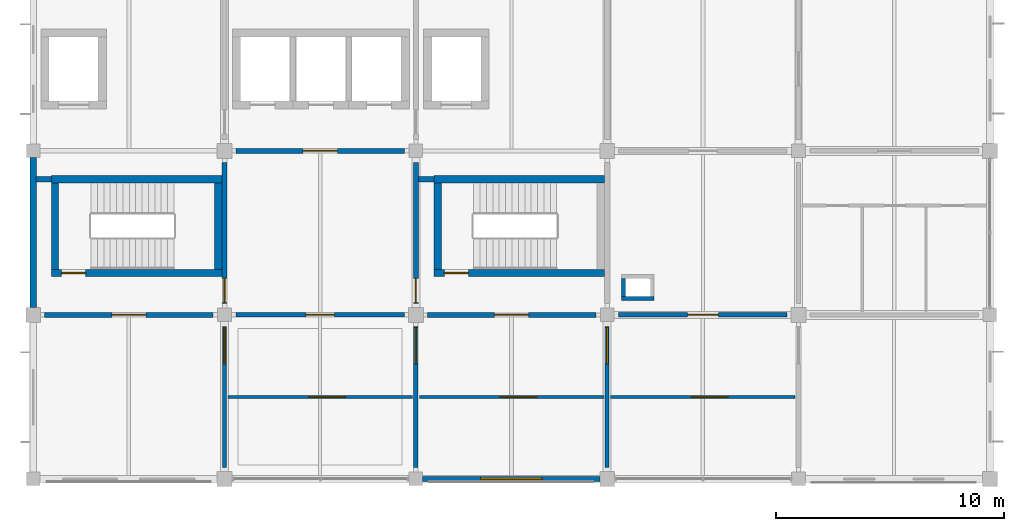
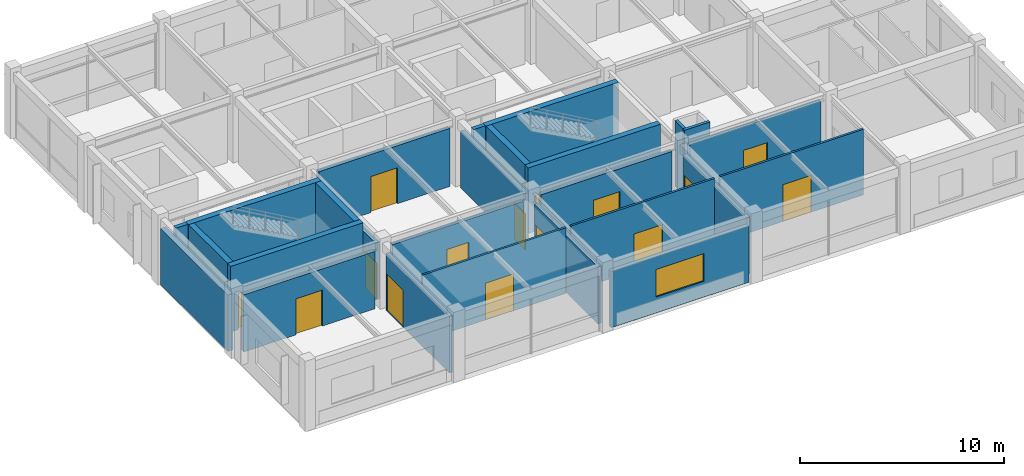
# One storey, part 8 of 13: 26 walls, 15 doors, 1 window, 16 openings.
"""IFC4 building model written with IfcOpenShell, lengths in metres."""

from ifc_helpers import new_model, si_unit, derived_unit, direction, frame, frame_2d, origin, place, context, subcontext, project, spatial, rectangle, extrude, material, layer, layer_set, type_object, element, fill, save


model = new_model("IFC4")

# Units and contexts
model_context = context("Model", 3, precision=1e-05, world=origin(), true_north=direction((0.0, 1.0)))
body_context = subcontext(model_context, "Body", "Model", "MODEL_VIEW")
ifc_project = project(units=[si_unit("LENGTHUNIT", "METRE"), si_unit("AREAUNIT", "SQUARE_METRE"), si_unit("VOLUMEUNIT", "CUBIC_METRE"), si_unit("PLANEANGLEUNIT", "RADIAN"), si_unit("MASSUNIT", "GRAM", prefix="KILO"), derived_unit("THERMALTRANSMITTANCEUNIT", [(si_unit("MASSUNIT", "GRAM", prefix="KILO"), 1), (si_unit("TIMEUNIT", "SECOND"), -3), (si_unit("THERMODYNAMICTEMPERATUREUNIT", "KELVIN"), -1)])], contexts=[model_context])

# Site, building, storey
site_placement = place(None, origin())
site = spatial("IfcSite", under=ifc_project, at=site_placement, CompositionType="ELEMENT")
building_placement = place(site_placement, origin())
building = spatial("IfcBuilding", under=site, at=building_placement, Name="Veldstrom Oceanarium and Marine Research Institute", CompositionType="ELEMENT")
storey_placement = place(building_placement, frame((0.0, 0.0, 52.199951171875)))
storey = spatial("IfcBuildingStorey", under=building, at=storey_placement, Name="L11", CompositionType="ELEMENT", Elevation=52.199951171875)

# Wall
ifc_material_1 = material(Name="Masonry Cavity Wall", Category="masonry")
ifc_layer_1 = layer(ifc_material_1, 0.2900390625)
ifc_layer_set_1 = layer_set([ifc_layer_1], Name="ARC-WAL-EW2")
wall_type_1 = type_object("IfcWallType", Name="ARC-WAL-EW2", PredefinedType="SOLIDWALL", material=ifc_layer_set_1)
wall_1_placement = place(storey_placement, frame((75.60009765625, 50.72509765625, 0.0), z_axis=(0.0, 0.0, 1.0), x_axis=(0.0, 1.0, 0.0)))
element("IfcWall", 1, at=wall_1_placement, inside=storey, type_object=wall_type_1, Name="Exterior Facade Wall EW2 L11-233", PredefinedType="SOLIDWALL", context=body_context, shape_type="SweptSolid", body=[
    extrude(rectangle(XDim=6.574951171875, YDim=0.2900390625, at=frame_2d((3.28759765625, 0.0))), origin(), (0.0, 0.0, 1.0), 3.364990234375),
])

# Wall, opening, window
ifc_material_2 = material(Name="Masonry Cavity Wall", Category="masonry")
ifc_layer_2 = layer(ifc_material_2, 0.215087890625)
ifc_layer_set_2 = layer_set([ifc_layer_2], Name="ARC-WAL-EW6")
wall_type_2 = type_object("IfcWallType", Name="ARC-WAL-EW6", PredefinedType="SOLIDWALL", material=ifc_layer_set_2)
wall_2_placement = place(storey_placement, frame((92.699951171875, 43.199951171875, 0.0), z_axis=(0.0, 0.0, 1.0), x_axis=(1.0, 0.0, 0.0)))
wall_2 = element("IfcWall", 2, at=wall_2_placement, inside=storey, type_object=wall_type_2, Name="Exterior Facade Wall EW6 L11-236", PredefinedType="SOLIDWALL", context=body_context, shape_type="SweptSolid", body=[
    extrude(rectangle(XDim=7.775146484375, YDim=0.215087890625, at=frame_2d((3.8876953125, 0.0))), origin(), (0.0, 0.0, 1.0), 3.364990234375),
])
opening_1_placement = place(wall_2_placement, frame((2.53759765625, 0.0, 0.949951171875)))
opening_1 = element("IfcOpeningElement", 3, at=opening_1_placement, cuts=wall_2, Name="Opening W25", PredefinedType="OPENING", context=body_context, shape_type="SweptSolid", body=[
    extrude(rectangle(XDim=2.699951171875, YDim=1.64990234375, at=frame_2d((1.35009765625, 0.824951171875))), frame((0.0, 0.117431640625, 0.0), z_axis=(0.0, -1.0, 0.0), x_axis=(1.0, 0.0, 0.0)), (0.0, 0.0, 1.0), 0.235107421875),
])
ifc_material_3 = material(Name="Double Glazed Low-E IGU", Category="glass")
window_type = type_object("IfcWindowType", Name="ARC-WIN-W25", PartitioningType="SINGLE_PANEL", PredefinedType="WINDOW", material=ifc_material_3)
window_placement = place(opening_1_placement, origin())
window = element("IfcWindow", 4, at=window_placement, inside=storey, type_object=window_type, Name="Facade Window W25 L11-0216", OverallHeight=1.64990234375, OverallWidth=2.699951171875, PartitioningType="SINGLE_PANEL", PredefinedType="WINDOW", context=body_context, shape_type="SweptSolid", body=[
    extrude(rectangle(XDim=2.699951171875, YDim=1.64990234375, at=frame_2d((1.35009765625, 0.824951171875))), frame((0.0, 0.030029296875, 0.0), z_axis=(0.0, -1.0, 0.0), x_axis=(1.0, 0.0, 0.0)), (0.0, 0.0, 1.0), 0.06005859375),
])
fill(opening_1, window)

# Wall, opening, door
ifc_material_4 = material(Name="Masonry Fire Compartment Wall", Category="masonry")
ifc_layer_3 = layer(ifc_material_4, 0.22998046875)
ifc_layer_set_3 = layer_set([ifc_layer_3], Name="ARC-WAL-PT1")
wall_type_3 = type_object("IfcWallType", Name="ARC-WAL-PT1", PredefinedType="PARTITIONING", material=ifc_layer_set_3)
wall_3_placement = place(storey_placement, frame((76.10009765625, 50.39990234375, 0.0), z_axis=(0.0, 0.0, 1.0), x_axis=(1.0, 0.0, 0.0)))
wall_3 = element("IfcWall", 5, at=wall_3_placement, inside=storey, type_object=wall_type_3, Name="Interior Partition PT1 L11-1672", PredefinedType="PARTITIONING", context=body_context, shape_type="SweptSolid", body=[
    extrude(rectangle(XDim=7.39990234375, YDim=0.22998046875, at=frame_2d((3.699951171875, 0.0))), origin(), (0.0, 0.0, 1.0), 3.4150390625),
])
opening_2_placement = place(wall_3_placement, frame((2.949951171875, 0.0, 0.0)))
opening_2 = element("IfcOpeningElement", 6, at=opening_2_placement, cuts=wall_3, Name="Opening D-L11-1024", PredefinedType="OPENING", context=body_context, shape_type="SweptSolid", body=[
    extrude(rectangle(XDim=1.5, YDim=2.14990234375, at=frame_2d((0.75, 1.074951171875))), frame((0.0, 0.125, 0.0), z_axis=(0.0, -1.0, 0.0), x_axis=(1.0, 0.0, 0.0)), (0.0, 0.0, 1.0), 0.25),
])
ifc_material_5 = material(Name="Painted Steel Lobby Fire Door", Category="steel")
door_type_1 = type_object("IfcDoorType", Name="ARC-DOR-SD2", OperationType="DOUBLE_DOOR_SINGLE_SWING", PredefinedType="DOOR", material=ifc_material_5)
door_1_placement = place(opening_2_placement, frame((1.5, 0.0, 0.0), z_axis=(0.0, 0.0, 1.0), x_axis=(-1.0, 0.0, 0.0)))
door_1 = element("IfcDoor", 7, at=door_1_placement, inside=storey, type_object=door_type_1, Name="Interior Door D-L11-1024", OperationType="DOUBLE_DOOR_SINGLE_SWING", OverallHeight=2.14990234375, OverallWidth=1.5, PredefinedType="DOOR", context=body_context, shape_type="SweptSolid", body=[
    extrude(rectangle(XDim=1.5, YDim=2.14990234375, at=frame_2d((0.75, 1.074951171875))), frame((0.0, 0.02490234375, 0.0), z_axis=(0.0, -1.0, 0.0), x_axis=(1.0, 0.0, 0.0)), (0.0, 0.0, 1.0), 0.050048828125),
])
fill(opening_2, door_1)

wall_4_placement = place(storey_placement, frame((84.0, 50.89990234375, 0.0), z_axis=(0.0, 0.0, 1.0), x_axis=(0.0, 1.0, 0.0)))
wall_4 = element("IfcWall", 8, at=wall_4_placement, inside=storey, type_object=wall_type_3, Name="Interior Partition PT1 L11-1673", PredefinedType="PARTITIONING", context=body_context, shape_type="SweptSolid", body=[
    extrude(rectangle(XDim=6.2001953125, YDim=0.22998046875, at=frame_2d((3.10009765625, 0.0))), origin(), (0.0, 0.0, 1.0), 3.4150390625),
])
opening_3_placement = place(wall_4_placement, frame((0.050048828125, 0.0, 0.0)))
opening_3 = element("IfcOpeningElement", 9, at=opening_3_placement, cuts=wall_4, Name="Opening D-L11-1025", PredefinedType="OPENING", context=body_context, shape_type="SweptSolid", body=[
    extrude(rectangle(XDim=1.050048828125, YDim=2.14990234375, at=frame_2d((0.52490234375, 1.074951171875))), frame((0.0, 0.125, 0.0), z_axis=(0.0, -1.0, 0.0), x_axis=(1.0, 0.0, 0.0)), (0.0, 0.0, 1.0), 0.25),
])
ifc_material_6 = material(Name="Painted Steel Fire Door", Category="steel")
door_type_2 = type_object("IfcDoorType", Name="ARC-DOR-SD1", OperationType="SINGLE_SWING_LEFT", PredefinedType="DOOR", material=ifc_material_6)
door_2_placement = place(opening_3_placement, origin())
door_2 = element("IfcDoor", 10, at=door_2_placement, inside=storey, type_object=door_type_2, Name="Interior Door D-L11-1025", OperationType="SINGLE_SWING_LEFT", OverallHeight=2.14990234375, OverallWidth=1.050048828125, PredefinedType="DOOR", context=body_context, shape_type="SweptSolid", body=[
    extrude(rectangle(XDim=1.050048828125, YDim=2.14990234375, at=frame_2d((0.52490234375, 1.074951171875))), frame((0.0, 0.02490234375, 0.0), z_axis=(0.0, -1.0, 0.0), x_axis=(1.0, 0.0, 0.0)), (0.0, 0.0, 1.0), 0.050048828125),
])
fill(opening_3, door_2)

# Wall
wall_5_placement = place(storey_placement, frame((75.719970703125, 56.360107421875, 0.0), z_axis=(0.0, 0.0, 1.0), x_axis=(1.0, 0.0, 0.0)))
element("IfcWall", 11, at=wall_5_placement, inside=storey, type_object=wall_type_3, Name="Interior Partition PT1 L11-1674", PredefinedType="PARTITIONING", context=body_context, shape_type="SweptSolid", body=[
    extrude(rectangle(XDim=0.679931640625, YDim=0.22998046875, at=frame_2d((0.33984375, 0.0))), origin(), (0.0, 0.0, 1.0), 3.920166015625),
])

# Wall, opening, door
wall_6_placement = place(storey_placement, frame((92.39990234375, 50.89990234375, 0.0), z_axis=(0.0, 0.0, 1.0), x_axis=(0.0, 1.0, 0.0)))
wall_6 = element("IfcWall", 12, at=wall_6_placement, inside=storey, type_object=wall_type_3, Name="Interior Partition PT1 L11-1680", PredefinedType="PARTITIONING", context=body_context, shape_type="SweptSolid", body=[
    extrude(rectangle(XDim=6.2001953125, YDim=0.22998046875, at=frame_2d((3.10009765625, 0.0))), origin(), (0.0, 0.0, 1.0), 3.4150390625),
])
opening_4_placement = place(wall_6_placement, frame((0.050048828125, 0.0, 0.0)))
opening_4 = element("IfcOpeningElement", 13, at=opening_4_placement, cuts=wall_6, Name="Opening D-L11-1030", PredefinedType="OPENING", context=body_context, shape_type="SweptSolid", body=[
    extrude(rectangle(XDim=1.050048828125, YDim=2.14990234375, at=frame_2d((0.52490234375, 1.074951171875))), frame((0.0, 0.125, 0.0), z_axis=(0.0, -1.0, 0.0), x_axis=(1.0, 0.0, 0.0)), (0.0, 0.0, 1.0), 0.25),
])
door_3_placement = place(opening_4_placement, frame((1.050048828125, 0.0, 0.0), z_axis=(0.0, 0.0, 1.0), x_axis=(-1.0, 0.0, 0.0)))
door_3 = element("IfcDoor", 14, at=door_3_placement, inside=storey, type_object=door_type_2, Name="Interior Door D-L11-1030", OperationType="SINGLE_SWING_RIGHT", OverallHeight=2.14990234375, OverallWidth=1.050048828125, PredefinedType="DOOR", context=body_context, shape_type="SweptSolid", body=[
    extrude(rectangle(XDim=1.050048828125, YDim=2.14990234375, at=frame_2d((0.52490234375, 1.074951171875))), frame((0.0, 0.02490234375, 0.0), z_axis=(0.0, -1.0, 0.0), x_axis=(1.0, 0.0, 0.0)), (0.0, 0.0, 1.0), 0.050048828125),
])
fill(opening_4, door_3)

wall_7_placement = place(storey_placement, frame((84.5, 57.60009765625, 0.0), z_axis=(0.0, 0.0, 1.0), x_axis=(1.0, 0.0, 0.0)))
wall_7 = element("IfcWall", 15, at=wall_7_placement, inside=storey, type_object=wall_type_3, Name="Interior Partition PT1 L11-1681", PredefinedType="PARTITIONING", context=body_context, shape_type="SweptSolid", body=[
    extrude(rectangle(XDim=7.39990234375, YDim=0.22998046875, at=frame_2d((3.699951171875, 0.0))), origin(), (0.0, 0.0, 1.0), 3.465087890625),
])
opening_5_placement = place(wall_7_placement, frame((2.949951171875, 0.0, 0.0)))
opening_5 = element("IfcOpeningElement", 16, at=opening_5_placement, cuts=wall_7, Name="Opening D-L11-1031", PredefinedType="OPENING", context=body_context, shape_type="SweptSolid", body=[
    extrude(rectangle(XDim=1.5, YDim=2.14990234375, at=frame_2d((0.75, 1.074951171875))), frame((0.0, 0.125, 0.0), z_axis=(0.0, -1.0, 0.0), x_axis=(1.0, 0.0, 0.0)), (0.0, 0.0, 1.0), 0.25),
])
door_4_placement = place(opening_5_placement, origin())
door_4 = element("IfcDoor", 17, at=door_4_placement, inside=storey, type_object=door_type_1, Name="Interior Door D-L11-1031", OperationType="DOUBLE_DOOR_SINGLE_SWING", OverallHeight=2.14990234375, OverallWidth=1.5, PredefinedType="DOOR", context=body_context, shape_type="SweptSolid", body=[
    extrude(rectangle(XDim=1.5, YDim=2.14990234375, at=frame_2d((0.75, 1.074951171875))), frame((0.0, 0.02490234375, 0.0), z_axis=(0.0, -1.0, 0.0), x_axis=(1.0, 0.0, 0.0)), (0.0, 0.0, 1.0), 0.050048828125),
])
fill(opening_5, door_4)

wall_8_placement = place(storey_placement, frame((92.89990234375, 50.39990234375, 0.0), z_axis=(0.0, 0.0, 1.0), x_axis=(1.0, 0.0, 0.0)))
wall_8 = element("IfcWall", 18, at=wall_8_placement, inside=storey, type_object=wall_type_3, Name="Interior Partition PT1 L11-1686", PredefinedType="PARTITIONING", context=body_context, shape_type="SweptSolid", body=[
    extrude(rectangle(XDim=7.400146484375, YDim=0.22998046875, at=frame_2d((3.7001953125, 0.0))), origin(), (0.0, 0.0, 1.0), 3.51513671875),
])
opening_6_placement = place(wall_8_placement, frame((2.949951171875, 0.0, 0.0)))
opening_6 = element("IfcOpeningElement", 19, at=opening_6_placement, cuts=wall_8, Name="Opening D-L11-1035", PredefinedType="OPENING", context=body_context, shape_type="SweptSolid", body=[
    extrude(rectangle(XDim=1.5, YDim=2.14990234375, at=frame_2d((0.75, 1.074951171875))), frame((0.0, 0.125, 0.0), z_axis=(0.0, -1.0, 0.0), x_axis=(1.0, 0.0, 0.0)), (0.0, 0.0, 1.0), 0.25),
])
door_5_placement = place(opening_6_placement, frame((1.5, 0.0, 0.0), z_axis=(0.0, 0.0, 1.0), x_axis=(-1.0, 0.0, 0.0)))
door_5 = element("IfcDoor", 20, at=door_5_placement, inside=storey, type_object=door_type_1, Name="Interior Door D-L11-1035", OperationType="DOUBLE_DOOR_SINGLE_SWING", OverallHeight=2.14990234375, OverallWidth=1.5, PredefinedType="DOOR", context=body_context, shape_type="SweptSolid", body=[
    extrude(rectangle(XDim=1.5, YDim=2.14990234375, at=frame_2d((0.75, 1.074951171875))), frame((0.0, 0.02490234375, 0.0), z_axis=(0.0, -1.0, 0.0), x_axis=(1.0, 0.0, 0.0)), (0.0, 0.0, 1.0), 0.050048828125),
])
fill(opening_6, door_5)

# Wall
wall_9_placement = place(storey_placement, frame((92.52001953125, 56.360107421875, 0.0), z_axis=(0.0, 0.0, 1.0), x_axis=(1.0, 0.0, 0.0)))
element("IfcWall", 21, at=wall_9_placement, inside=storey, type_object=wall_type_3, Name="Interior Partition PT1 L11-1688", PredefinedType="PARTITIONING", context=body_context, shape_type="SweptSolid", body=[
    extrude(rectangle(XDim=0.679931640625, YDim=0.22998046875, at=frame_2d((0.33984375, 0.0))), origin(), (0.0, 0.0, 1.0), 3.920166015625),
])

# Wall, opening, door
ifc_material_7 = material(Name="Gypsum Acoustic Lab Partition", Category="gypsum")
ifc_layer_4 = layer(ifc_material_7, 0.1201171875)
ifc_layer_set_4 = layer_set([ifc_layer_4], Name="ARC-WAL-PT10")
wall_type_4 = type_object("IfcWallType", Name="ARC-WAL-PT10", PredefinedType="PARTITIONING", material=ifc_layer_set_4)
wall_10_placement = place(storey_placement, frame((84.14990234375, 46.800048828125, 0.0), z_axis=(0.0, 0.0, 1.0), x_axis=(1.0, 0.0, 0.0)))
wall_10 = element("IfcWall", 22, at=wall_10_placement, inside=storey, type_object=wall_type_4, Name="Laboratory Suite Partition L11-10/6", PredefinedType="PARTITIONING", context=body_context, shape_type="SweptSolid", body=[
    extrude(rectangle(XDim=8.10009765625, YDim=0.1201171875, at=frame_2d((4.050048828125, 0.0))), origin(), (0.0, 0.0, 1.0), 3.920166015625),
])
opening_7_placement = place(wall_10_placement, frame((3.550048828125, 0.0, 0.0)))
opening_7 = element("IfcOpeningElement", 23, at=opening_7_placement, cuts=wall_10, Name="Opening D-L11-S1017", PredefinedType="OPENING", context=body_context, shape_type="SweptSolid", body=[
    extrude(rectangle(XDim=1.60009765625, YDim=2.199951171875, at=frame_2d((0.800048828125, 1.10009765625))), frame((0.0, 0.070068359375, 0.0), z_axis=(0.0, -1.0, 0.0), x_axis=(1.0, 0.0, 0.0)), (0.0, 0.0, 1.0), 0.14013671875),
])
ifc_material_8 = material(Name="Acoustic Timber Corridor Door", Category="wood")
door_type_3 = type_object("IfcDoorType", Name="ARC-DOR-ID02", OperationType="DOUBLE_DOOR_SINGLE_SWING", PredefinedType="DOOR", material=ifc_material_8)
door_6_placement = place(opening_7_placement, frame((1.60009765625, 0.0, 0.0), z_axis=(0.0, 0.0, 1.0), x_axis=(-1.0, 0.0, 0.0)))
door_6 = element("IfcDoor", 24, at=door_6_placement, inside=storey, type_object=door_type_3, Name="Suite Interior Door D-L11-S1017", OperationType="SINGLE_SWING_LEFT", OverallHeight=2.199951171875, OverallWidth=1.60009765625, PredefinedType="DOOR", context=body_context, shape_type="SweptSolid", body=[
    extrude(rectangle(XDim=1.60009765625, YDim=2.199951171875, at=frame_2d((0.800048828125, 1.10009765625))), frame((0.0, 0.02490234375, 0.0), z_axis=(0.0, -1.0, 0.0), x_axis=(1.0, 0.0, 0.0)), (0.0, 0.0, 1.0), 0.050048828125),
])
fill(opening_7, door_6)

wall_11_placement = place(storey_placement, frame((92.550048828125, 46.800048828125, 0.0), z_axis=(0.0, 0.0, 1.0), x_axis=(1.0, 0.0, 0.0)))
wall_11 = element("IfcWall", 25, at=wall_11_placement, inside=storey, type_object=wall_type_4, Name="Laboratory Suite Partition L11-11/6", PredefinedType="PARTITIONING", context=body_context, shape_type="SweptSolid", body=[
    extrude(rectangle(XDim=8.099853515625, YDim=0.1201171875, at=frame_2d((4.0498046875, 0.0))), origin(), (0.0, 0.0, 1.0), 3.920166015625),
])
opening_8_placement = place(wall_11_placement, frame((3.550048828125, 0.0, 0.0)))
opening_8 = element("IfcOpeningElement", 26, at=opening_8_placement, cuts=wall_11, Name="Opening D-L11-S1018", PredefinedType="OPENING", context=body_context, shape_type="SweptSolid", body=[
    extrude(rectangle(XDim=1.60009765625, YDim=2.199951171875, at=frame_2d((0.800048828125, 1.10009765625))), frame((0.0, 0.070068359375, 0.0), z_axis=(0.0, -1.0, 0.0), x_axis=(1.0, 0.0, 0.0)), (0.0, 0.0, 1.0), 0.14013671875),
])
door_7_placement = place(opening_8_placement, frame((1.60009765625, 0.0, 0.0), z_axis=(0.0, 0.0, 1.0), x_axis=(-1.0, 0.0, 0.0)))
door_7 = element("IfcDoor", 27, at=door_7_placement, inside=storey, type_object=door_type_3, Name="Suite Interior Door D-L11-S1018", OperationType="SINGLE_SWING_RIGHT", OverallHeight=2.199951171875, OverallWidth=1.60009765625, PredefinedType="DOOR", context=body_context, shape_type="SweptSolid", body=[
    extrude(rectangle(XDim=1.60009765625, YDim=2.199951171875, at=frame_2d((0.800048828125, 1.10009765625))), frame((0.0, 0.02490234375, 0.0), z_axis=(0.0, -1.0, 0.0), x_axis=(1.0, 0.0, 0.0)), (0.0, 0.0, 1.0), 0.050048828125),
])
fill(opening_8, door_7)

wall_12_placement = place(storey_placement, frame((100.949951171875, 46.800048828125, 0.0), z_axis=(0.0, 0.0, 1.0), x_axis=(1.0, 0.0, 0.0)))
wall_12 = element("IfcWall", 28, at=wall_12_placement, inside=storey, type_object=wall_type_4, Name="Laboratory Suite Partition L11-12/6", PredefinedType="PARTITIONING", context=body_context, shape_type="SweptSolid", body=[
    extrude(rectangle(XDim=8.10009765625, YDim=0.1201171875, at=frame_2d((4.050048828125, 0.0))), origin(), (0.0, 0.0, 1.0), 3.920166015625),
])
opening_9_placement = place(wall_12_placement, frame((3.550048828125, 0.0, 0.0)))
opening_9 = element("IfcOpeningElement", 29, at=opening_9_placement, cuts=wall_12, Name="Opening D-L11-S1019", PredefinedType="OPENING", context=body_context, shape_type="SweptSolid", body=[
    extrude(rectangle(XDim=1.60009765625, YDim=2.199951171875, at=frame_2d((0.800048828125, 1.10009765625))), frame((0.0, 0.070068359375, 0.0), z_axis=(0.0, -1.0, 0.0), x_axis=(1.0, 0.0, 0.0)), (0.0, 0.0, 1.0), 0.14013671875),
])
door_8_placement = place(opening_9_placement, frame((1.60009765625, 0.0, 0.0), z_axis=(0.0, 0.0, 1.0), x_axis=(-1.0, 0.0, 0.0)))
door_8 = element("IfcDoor", 30, at=door_8_placement, inside=storey, type_object=door_type_3, Name="Suite Interior Door D-L11-S1019", OperationType="SINGLE_SWING_LEFT", OverallHeight=2.199951171875, OverallWidth=1.60009765625, PredefinedType="DOOR", context=body_context, shape_type="SweptSolid", body=[
    extrude(rectangle(XDim=1.60009765625, YDim=2.199951171875, at=frame_2d((0.800048828125, 1.10009765625))), frame((0.0, 0.02490234375, 0.0), z_axis=(0.0, -1.0, 0.0), x_axis=(1.0, 0.0, 0.0)), (0.0, 0.0, 1.0), 0.050048828125),
])
fill(opening_9, door_8)

ifc_material_9 = material(Name="Masonry Acoustic Lab Partition", Category="masonry")
ifc_layer_5 = layer(ifc_material_9, 0.205078125)
ifc_layer_set_5 = layer_set([ifc_layer_5], Name="ARC-WAL-PT2")
wall_type_5 = type_object("IfcWallType", Name="ARC-WAL-PT2", PredefinedType="PARTITIONING", material=ifc_layer_set_5)
wall_13_placement = place(storey_placement, frame((92.39990234375, 43.699951171875, 0.0), z_axis=(0.0, 0.0, 1.0), x_axis=(0.0, 1.0, 0.0)))
wall_13 = element("IfcWall", 31, at=wall_13_placement, inside=storey, type_object=wall_type_5, Name="Interior Partition PT2 L11-1678", PredefinedType="PARTITIONING", context=body_context, shape_type="SweptSolid", body=[
    extrude(rectangle(XDim=6.199951171875, YDim=0.205078125, at=frame_2d((3.10009765625, 0.0))), origin(), (0.0, 0.0, 1.0), 3.4150390625),
])
opening_10_placement = place(wall_13_placement, frame((4.550048828125, 0.0, 0.0)))
opening_10 = element("IfcOpeningElement", 32, at=opening_10_placement, cuts=wall_13, Name="Opening D-L11-1028", PredefinedType="OPENING", context=body_context, shape_type="SweptSolid", body=[
    extrude(rectangle(XDim=1.60009765625, YDim=2.199951171875, at=frame_2d((0.800048828125, 1.10009765625))), frame((0.0, 0.112548828125, 0.0), z_axis=(0.0, -1.0, 0.0), x_axis=(1.0, 0.0, 0.0)), (0.0, 0.0, 1.0), 0.22509765625),
])
door_9_placement = place(opening_10_placement, origin())
door_9 = element("IfcDoor", 33, at=door_9_placement, inside=storey, type_object=door_type_3, Name="Interior Door D-L11-1028", OperationType="DOUBLE_DOOR_SINGLE_SWING", OverallHeight=2.199951171875, OverallWidth=1.60009765625, PredefinedType="DOOR", context=body_context, shape_type="SweptSolid", body=[
    extrude(rectangle(XDim=1.60009765625, YDim=2.199951171875, at=frame_2d((0.800048828125, 1.10009765625))), frame((0.0, 0.02490234375, 0.0), z_axis=(0.0, -1.0, 0.0), x_axis=(1.0, 0.0, 0.0)), (0.0, 0.0, 1.0), 0.050048828125),
])
fill(opening_10, door_9)

wall_14_placement = place(storey_placement, frame((84.5, 50.39990234375, 0.0), z_axis=(0.0, 0.0, 1.0), x_axis=(1.0, 0.0, 0.0)))
wall_14 = element("IfcWall", 34, at=wall_14_placement, inside=storey, type_object=wall_type_5, Name="Interior Partition PT2 L11-1679", PredefinedType="PARTITIONING", context=body_context, shape_type="SweptSolid", body=[
    extrude(rectangle(XDim=7.39990234375, YDim=0.205078125, at=frame_2d((3.699951171875, 0.0))), origin(), (0.0, 0.0, 1.0), 3.465087890625),
])
opening_11_placement = place(wall_14_placement, frame((3.074951171875, 0.0, 0.0)))
opening_11 = element("IfcOpeningElement", 35, at=opening_11_placement, cuts=wall_14, Name="Opening D-L11-1029", PredefinedType="OPENING", context=body_context, shape_type="SweptSolid", body=[
    extrude(rectangle(XDim=1.25, YDim=2.10009765625, at=frame_2d((0.625, 1.050048828125))), frame((0.0, 0.112548828125, 0.0), z_axis=(0.0, -1.0, 0.0), x_axis=(1.0, 0.0, 0.0)), (0.0, 0.0, 1.0), 0.22509765625),
])
ifc_material_10 = material(Name="Specimen Prep Door", Category="timber")
door_type_4 = type_object("IfcDoorType", Name="ARC-DOR-ID16", OperationType="SINGLE_SWING_RIGHT", PredefinedType="DOOR", material=ifc_material_10)
door_10_placement = place(opening_11_placement, frame((1.25, 0.0, 0.0), z_axis=(0.0, 0.0, 1.0), x_axis=(-1.0, 0.0, 0.0)))
door_10 = element("IfcDoor", 36, at=door_10_placement, inside=storey, type_object=door_type_4, Name="Interior Door D-L11-1029", OperationType="SINGLE_SWING_LEFT", OverallHeight=2.10009765625, OverallWidth=1.25, PredefinedType="DOOR", context=body_context, shape_type="SweptSolid", body=[
    extrude(rectangle(XDim=1.25, YDim=2.10009765625, at=frame_2d((0.625, 1.050048828125))), frame((0.0, 0.02490234375, 0.0), z_axis=(0.0, -1.0, 0.0), x_axis=(1.0, 0.0, 0.0)), (0.0, 0.0, 1.0), 0.050048828125),
])
fill(opening_11, door_10)

wall_15_placement = place(storey_placement, frame((101.300048828125, 50.39990234375, 0.0), z_axis=(0.0, 0.0, 1.0), x_axis=(1.0, 0.0, 0.0)))
wall_15 = element("IfcWall", 37, at=wall_15_placement, inside=storey, type_object=wall_type_5, Name="Interior Partition PT2 L11-1693", PredefinedType="PARTITIONING", context=body_context, shape_type="SweptSolid", body=[
    extrude(rectangle(XDim=7.39990234375, YDim=0.205078125, at=frame_2d((3.699951171875, 0.0))), origin(), (0.0, 0.0, 1.0), 3.56494140625),
])
opening_12_placement = place(wall_15_placement, frame((3.02490234375, 0.0, 0.0)))
opening_12 = element("IfcOpeningElement", 38, at=opening_12_placement, cuts=wall_15, Name="Opening D-L11-1038", PredefinedType="OPENING", context=body_context, shape_type="SweptSolid", body=[
    extrude(rectangle(XDim=1.35009765625, YDim=2.14990234375, at=frame_2d((0.675048828125, 1.074951171875))), frame((0.0, 0.112548828125, 0.0), z_axis=(0.0, -1.0, 0.0), x_axis=(1.0, 0.0, 0.0)), (0.0, 0.0, 1.0), 0.22509765625),
])
ifc_material_11 = material(Name="Cleanroom Airlock Door", Category="steel")
door_type_5 = type_object("IfcDoorType", Name="ARC-DOR-ID15", OperationType="SINGLE_SWING_LEFT", PredefinedType="DOOR", material=ifc_material_11)
door_11_placement = place(opening_12_placement, frame((1.35009765625, 0.0, 0.0), z_axis=(0.0, 0.0, 1.0), x_axis=(-1.0, 0.0, 0.0)))
door_11 = element("IfcDoor", 39, at=door_11_placement, inside=storey, type_object=door_type_5, Name="Interior Door D-L11-1038", OperationType="SINGLE_SWING_LEFT", OverallHeight=2.14990234375, OverallWidth=1.35009765625, PredefinedType="DOOR", context=body_context, shape_type="SweptSolid", body=[
    extrude(rectangle(XDim=1.35009765625, YDim=2.14990234375, at=frame_2d((0.675048828125, 1.074951171875))), frame((0.0, 0.02490234375, 0.0), z_axis=(0.0, -1.0, 0.0), x_axis=(1.0, 0.0, 0.0)), (0.0, 0.0, 1.0), 0.050048828125),
])
fill(opening_12, door_11)

ifc_material_12 = material(Name="Drywall Acoustic Partition", Category="gypsum")
ifc_layer_6 = layer(ifc_material_12, 0.175048828125)
ifc_layer_set_6 = layer_set([ifc_layer_6], Name="ARC-WAL-PT3")
wall_type_6 = type_object("IfcWallType", Name="ARC-WAL-PT3", PredefinedType="PARTITIONING", material=ifc_layer_set_6)
wall_16_placement = place(storey_placement, frame((84.0, 43.699951171875, 0.0), z_axis=(0.0, 0.0, 1.0), x_axis=(0.0, 1.0, 0.0)))
wall_16 = element("IfcWall", 40, at=wall_16_placement, inside=storey, type_object=wall_type_6, Name="Interior Partition PT3 L11-1671", PredefinedType="PARTITIONING", context=body_context, shape_type="SweptSolid", body=[
    extrude(rectangle(XDim=6.199951171875, YDim=0.175048828125, at=frame_2d((3.10009765625, 0.0))), origin(), (0.0, 0.0, 1.0), 3.4150390625),
])
opening_13_placement = place(wall_16_placement, frame((4.550048828125, 0.0, 0.0)))
opening_13 = element("IfcOpeningElement", 41, at=opening_13_placement, cuts=wall_16, Name="Opening D-L11-1023", PredefinedType="OPENING", context=body_context, shape_type="SweptSolid", body=[
    extrude(rectangle(XDim=1.60009765625, YDim=2.199951171875, at=frame_2d((0.800048828125, 1.10009765625))), frame((0.0, 0.097412109375, 0.0), z_axis=(0.0, -1.0, 0.0), x_axis=(1.0, 0.0, 0.0)), (0.0, 0.0, 1.0), 0.195068359375),
])
door_12_placement = place(opening_13_placement, frame((1.60009765625, 0.0, 0.0), z_axis=(0.0, 0.0, 1.0), x_axis=(-1.0, 0.0, 0.0)))
door_12 = element("IfcDoor", 42, at=door_12_placement, inside=storey, type_object=door_type_3, Name="Interior Door D-L11-1023", OperationType="DOUBLE_DOOR_SINGLE_SWING", OverallHeight=2.199951171875, OverallWidth=1.60009765625, PredefinedType="DOOR", context=body_context, shape_type="SweptSolid", body=[
    extrude(rectangle(XDim=1.60009765625, YDim=2.199951171875, at=frame_2d((0.800048828125, 1.10009765625))), frame((0.0, 0.02490234375, 0.0), z_axis=(0.0, -1.0, 0.0), x_axis=(1.0, 0.0, 0.0)), (0.0, 0.0, 1.0), 0.050048828125),
])
fill(opening_13, door_12)

wall_17_placement = place(storey_placement, frame((100.800048828125, 43.699951171875, 0.0), z_axis=(0.0, 0.0, 1.0), x_axis=(0.0, 1.0, 0.0)))
wall_17 = element("IfcWall", 43, at=wall_17_placement, inside=storey, type_object=wall_type_6, Name="Interior Partition PT3 L11-1685", PredefinedType="PARTITIONING", context=body_context, shape_type="SweptSolid", body=[
    extrude(rectangle(XDim=6.199951171875, YDim=0.175048828125, at=frame_2d((3.10009765625, 0.0))), origin(), (0.0, 0.0, 1.0), 3.4150390625),
])
opening_14_placement = place(wall_17_placement, frame((4.550048828125, 0.0, 0.0)))
opening_14 = element("IfcOpeningElement", 44, at=opening_14_placement, cuts=wall_17, Name="Opening D-L11-1034", PredefinedType="OPENING", context=body_context, shape_type="SweptSolid", body=[
    extrude(rectangle(XDim=1.60009765625, YDim=2.199951171875, at=frame_2d((0.800048828125, 1.10009765625))), frame((0.0, 0.097412109375, 0.0), z_axis=(0.0, -1.0, 0.0), x_axis=(1.0, 0.0, 0.0)), (0.0, 0.0, 1.0), 0.195068359375),
])
door_13_placement = place(opening_14_placement, frame((1.60009765625, 0.0, 0.0), z_axis=(0.0, 0.0, 1.0), x_axis=(-1.0, 0.0, 0.0)))
door_13 = element("IfcDoor", 45, at=door_13_placement, inside=storey, type_object=door_type_3, Name="Interior Door D-L11-1034", OperationType="DOUBLE_DOOR_SINGLE_SWING", OverallHeight=2.199951171875, OverallWidth=1.60009765625, PredefinedType="DOOR", context=body_context, shape_type="SweptSolid", body=[
    extrude(rectangle(XDim=1.60009765625, YDim=2.199951171875, at=frame_2d((0.800048828125, 1.10009765625))), frame((0.0, 0.02490234375, 0.0), z_axis=(0.0, -1.0, 0.0), x_axis=(1.0, 0.0, 0.0)), (0.0, 0.0, 1.0), 0.050048828125),
])
fill(opening_14, door_13)

# Walls
ifc_material_13 = material(Name="Service Riser Fire Shaft Wall", Category="masonry")
ifc_layer_7 = layer(ifc_material_13, 0.1650390625)
ifc_layer_set_7 = layer_set([ifc_layer_7], Name="ARC-WAL-PT9")
wall_type_7 = type_object("IfcWallType", Name="ARC-WAL-PT9", PredefinedType="PARTITIONING", material=ifc_layer_set_7)
wall_18_placement = place(storey_placement, frame((101.43505859375, 51.117431640625, 0.0), z_axis=(0.0, 0.0, 1.0), x_axis=(1.0, 0.0, 0.0)))
element("IfcWall", 46, at=wall_18_placement, inside=storey, type_object=wall_type_7, Name="Service Riser Fire Shaft Wall L11-CE-S", PredefinedType="PARTITIONING", context=body_context, shape_type="SweptSolid", body=[
    extrude(rectangle(XDim=1.429931640625, YDim=0.1650390625, at=frame_2d((0.71484375, 0.0))), origin(), (0.0, 0.0, 1.0), 3.920166015625),
])
wall_19_placement = place(storey_placement, frame((101.517578125, 51.199951171875, 0.0), z_axis=(0.0, 0.0, 1.0), x_axis=(0.0, 1.0, 0.0)))
element("IfcWall", 47, at=wall_19_placement, inside=storey, type_object=wall_type_7, Name="Service Riser Fire Shaft Wall L11-CE-W", PredefinedType="PARTITIONING", context=body_context, shape_type="SweptSolid", body=[
    extrude(rectangle(XDim=0.800048828125, YDim=0.1650390625, at=frame_2d((0.39990234375, 0.0))), origin(), (0.0, 0.0, 1.0), 3.920166015625),
])

# Wall, opening, door
ifc_material_14 = material(Name="Concrete C40/50", Category="concrete")
ifc_layer_8 = layer(ifc_material_14, 0.320068359375)
ifc_layer_set_8 = layer_set([ifc_layer_8], Name="STR-WAL-WC3")
wall_type_8 = type_object("IfcWallType", Name="STR-WAL-WC3", PredefinedType="SHEAR", material=ifc_layer_set_8)
wall_20_placement = place(storey_placement, frame((76.39990234375, 52.239990234375, 0.0), z_axis=(0.0, 0.0, 1.0), x_axis=(1.0, 0.0, 0.0)))
wall_20 = element("IfcWall", 48, at=wall_20_placement, inside=storey, type_object=wall_type_8, Name="Stair Core Shear Wall SC1-L11-S", PredefinedType="SHEAR", context=body_context, shape_type="SweptSolid", body=[
    extrude(rectangle(XDim=7.47998046875, YDim=0.320068359375, at=frame_2d((3.739990234375, 0.0))), origin(), (0.0, 0.0, 1.0), 3.920166015625),
])
opening_15_placement = place(wall_20_placement, frame((0.449951171875, 0.0, 0.0)))
opening_15 = element("IfcOpeningElement", 49, at=opening_15_placement, cuts=wall_20, Name="Opening D-ST1-L11", PredefinedType="OPENING", context=body_context, shape_type="SweptSolid", body=[
    extrude(rectangle(XDim=1.050048828125, YDim=2.14990234375, at=frame_2d((0.52490234375, 1.074951171875))), frame((0.0, 0.169921875, 0.0), z_axis=(0.0, -1.0, 0.0), x_axis=(1.0, 0.0, 0.0)), (0.0, 0.0, 1.0), 0.340087890625),
])
door_14_placement = place(opening_15_placement, origin())
door_14 = element("IfcDoor", 50, at=door_14_placement, inside=storey, type_object=door_type_2, Name="Escape Stair Fire Door D-ST1-L11", OperationType="SINGLE_SWING_LEFT", OverallHeight=2.14990234375, OverallWidth=1.050048828125, PredefinedType="DOOR", context=body_context, shape_type="SweptSolid", body=[
    extrude(rectangle(XDim=1.050048828125, YDim=2.14990234375, at=frame_2d((0.52490234375, 1.074951171875))), frame((0.0, 0.02490234375, 0.0), z_axis=(0.0, -1.0, 0.0), x_axis=(1.0, 0.0, 0.0)), (0.0, 0.0, 1.0), 0.050048828125),
])
fill(opening_15, door_14)

# Walls
wall_21_placement = place(storey_placement, frame((76.39990234375, 56.360107421875, 0.0), z_axis=(0.0, 0.0, 1.0), x_axis=(1.0, 0.0, 0.0)))
element("IfcWall", 51, at=wall_21_placement, inside=storey, type_object=wall_type_8, Name="Stair Core Shear Wall SC1-L11-N", PredefinedType="SHEAR", context=body_context, shape_type="SweptSolid", body=[
    extrude(rectangle(XDim=7.47998046875, YDim=0.320068359375, at=frame_2d((3.739990234375, 0.0))), origin(), (0.0, 0.0, 1.0), 3.920166015625),
])
for number, where, z_axis, x_axis, name in (
    (52, (76.56005859375, 52.39990234375, 0.0), (0.0, 0.0, 1.0), (0.0, 1.0, 0.0), "Stair Core Shear Wall SC1-L11-W"),
    (53, (83.719970703125, 52.39990234375, 0.0), (0.0, 0.0, 1.0), (0.0, 1.0, 0.0), "Stair Core Shear Wall SC1-L11-E"),
):
    element("IfcWall", number, at=place(storey_placement, frame(where, z_axis=z_axis, x_axis=x_axis)), inside=storey, type_object=wall_type_8, Name=name, PredefinedType="SHEAR", context=body_context, shape_type="SweptSolid", body=[
        extrude(rectangle(XDim=3.800048828125, YDim=0.320068359375, at=frame_2d((1.89990234375, 0.0))), origin(), (0.0, 0.0, 1.0), 3.920166015625),
    ])

# Wall, opening, door
wall_22_placement = place(storey_placement, frame((93.199951171875, 52.239990234375, 0.0), z_axis=(0.0, 0.0, 1.0), x_axis=(1.0, 0.0, 0.0)))
wall_22 = element("IfcWall", 54, at=wall_22_placement, inside=storey, type_object=wall_type_8, Name="Stair Core Shear Wall SC2-L11-S", PredefinedType="SHEAR", context=body_context, shape_type="SweptSolid", body=[
    extrude(rectangle(XDim=7.47998046875, YDim=0.320068359375, at=frame_2d((3.739990234375, 0.0))), origin(), (0.0, 0.0, 1.0), 3.920166015625),
])
opening_16_placement = place(wall_22_placement, frame((0.449951171875, 0.0, 0.0)))
opening_16 = element("IfcOpeningElement", 55, at=opening_16_placement, cuts=wall_22, Name="Opening D-ST2-L11", PredefinedType="OPENING", context=body_context, shape_type="SweptSolid", body=[
    extrude(rectangle(XDim=1.050048828125, YDim=2.14990234375, at=frame_2d((0.52490234375, 1.074951171875))), frame((0.0, 0.169921875, 0.0), z_axis=(0.0, -1.0, 0.0), x_axis=(1.0, 0.0, 0.0)), (0.0, 0.0, 1.0), 0.340087890625),
])
door_15_placement = place(opening_16_placement, origin())
door_15 = element("IfcDoor", 56, at=door_15_placement, inside=storey, type_object=door_type_2, Name="Escape Stair Fire Door D-ST2-L11", OperationType="SINGLE_SWING_LEFT", OverallHeight=2.14990234375, OverallWidth=1.050048828125, PredefinedType="DOOR", context=body_context, shape_type="SweptSolid", body=[
    extrude(rectangle(XDim=1.050048828125, YDim=2.14990234375, at=frame_2d((0.52490234375, 1.074951171875))), frame((0.0, 0.02490234375, 0.0), z_axis=(0.0, -1.0, 0.0), x_axis=(1.0, 0.0, 0.0)), (0.0, 0.0, 1.0), 0.050048828125),
])
fill(opening_16, door_15)

# Walls
wall_23_placement = place(storey_placement, frame((93.199951171875, 56.360107421875, 0.0), z_axis=(0.0, 0.0, 1.0), x_axis=(1.0, 0.0, 0.0)))
element("IfcWall", 57, at=wall_23_placement, inside=storey, type_object=wall_type_8, Name="Stair Core Shear Wall SC2-L11-N", PredefinedType="SHEAR", context=body_context, shape_type="SweptSolid", body=[
    extrude(rectangle(XDim=7.47998046875, YDim=0.320068359375, at=frame_2d((3.739990234375, 0.0))), origin(), (0.0, 0.0, 1.0), 3.920166015625),
])
wall_24_placement = place(storey_placement, frame((93.360107421875, 52.39990234375, 0.0), z_axis=(0.0, 0.0, 1.0), x_axis=(0.0, 1.0, 0.0)))
element("IfcWall", 58, at=wall_24_placement, inside=storey, type_object=wall_type_8, Name="Stair Core Shear Wall SC2-L11-W", PredefinedType="SHEAR", context=body_context, shape_type="SweptSolid", body=[
    extrude(rectangle(XDim=3.800048828125, YDim=0.320068359375, at=frame_2d((1.89990234375, 0.0))), origin(), (0.0, 0.0, 1.0), 3.920166015625),
])

save(model, "model.ifc")
